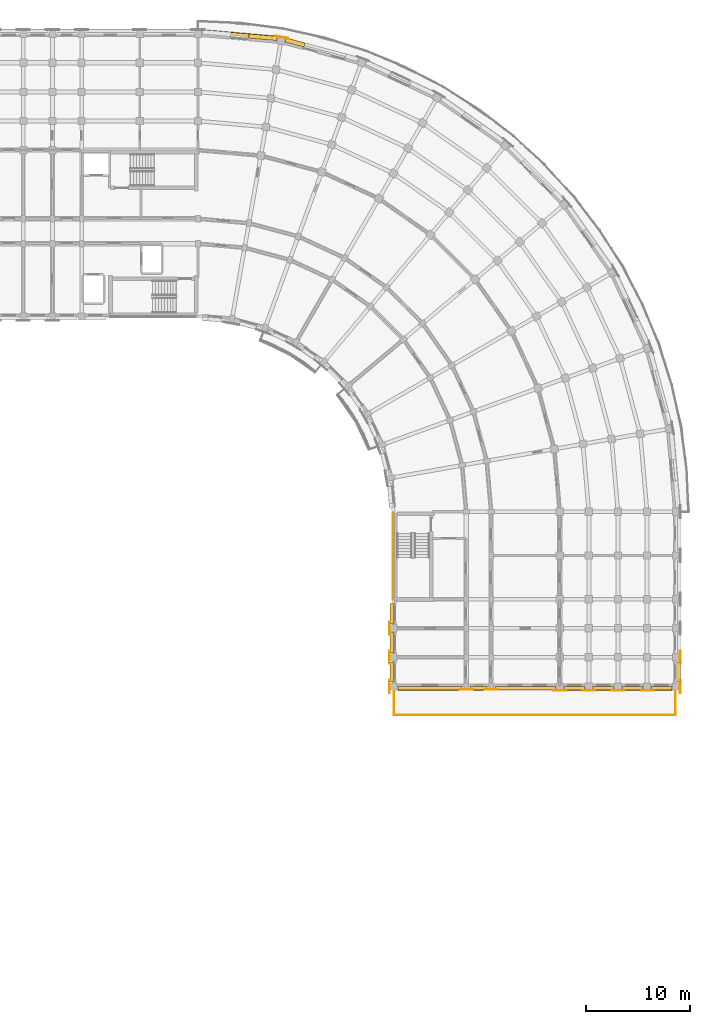
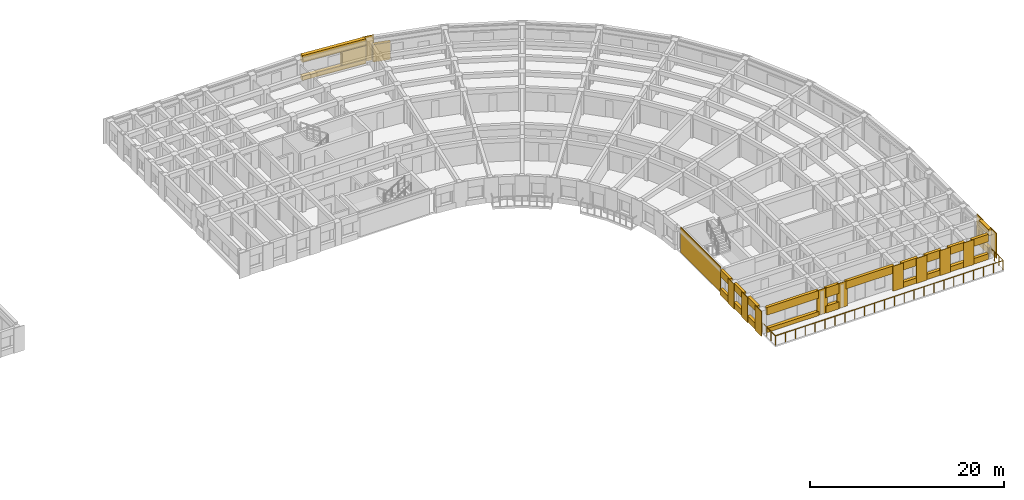
# One storey, part 51 of 54: 38 coverings, 1 railing.
"""IFC4 building model written with IfcOpenShell, lengths in metres."""

from ifc_helpers import new_model, si_unit, direction, frame, origin, origin_2d, place, context, subcontext, project, spatial, polyline, circle, outline, extrude, material, layer, layer_set, type_object, element, save


model = new_model("IFC4")

# Units and contexts
model_context = context("Model", 3, precision=1e-05, world=origin(), true_north=direction((0.0, 1.0)))
body_context = subcontext(model_context, "Body", "Model", "MODEL_VIEW")
ifc_project = project(units=[si_unit("LENGTHUNIT", "METRE"), si_unit("AREAUNIT", "SQUARE_METRE"), si_unit("VOLUMEUNIT", "CUBIC_METRE"), si_unit("PLANEANGLEUNIT", "RADIAN"), si_unit("MASSUNIT", "GRAM", prefix="KILO")], contexts=[model_context])

# Site, building, storey
site_placement = place(None, origin())
site = spatial("IfcSite", under=ifc_project, at=site_placement, CompositionType="ELEMENT")
building_placement = place(site_placement, origin())
building = spatial("IfcBuilding", under=site, at=building_placement, Name="Kiranvali Square Residences", CompositionType="ELEMENT")
storey_placement = place(building_placement, frame((0.0, 0.0, 27.60009765625)))
storey = spatial("IfcBuildingStorey", under=building, at=storey_placement, Name="L08", CompositionType="ELEMENT", Elevation=27.60009765625)

# Coverings
ifc_material_1 = material(Name="Honed Porbandar limestone ashlar facade cladding", Category="masonry")
ifc_layer_1 = layer(ifc_material_1, 0.3798828125)
ifc_layer_set_1 = layer_set([ifc_layer_1], Name="Honed Porbandar limestone ashlar facade cladding")
covering_type_1 = type_object("IfcCoveringType", Name="COV-CLAD-JAMB", PredefinedType="CLADDING", material=ifc_layer_set_1)
covering_1_placement = place(storey_placement, frame((0.0, 0.0, 0.52978515625)))
element("IfcCovering", 1, at=covering_1_placement, inside=storey, type_object=covering_type_1, Name="L08 deep limestone window jamb reveal B-L08-CRV-00.R", PredefinedType="CLADDING", context=body_context, shape_type="SweptSolid", body=[
    extrude(outline(polyline([(124.66552734375, 133.374755859375), (127.389404296875, 133.136474609375), (127.425048828125, 133.54443359375), (124.701416015625, 133.78271484375), (124.66552734375, 133.374755859375)])), origin(), (0.0, 0.0, 1.0), 1.75),
])
covering_2_placement = place(storey_placement, origin())
element("IfcCovering", 2, at=covering_2_placement, inside=storey, type_object=covering_type_1, Name="L08 deep limestone window jamb reveal B-L08-CRV-01.L", PredefinedType="CLADDING", context=body_context, shape_type="SweptSolid", body=[
    extrude(outline(polyline([(128.17431640625, 132.998046875), (129.98681640625, 132.512451171875), (130.0927734375, 132.907958984375), (128.2802734375, 133.3935546875), (128.17431640625, 132.998046875)])), origin(), (0.0, 0.0, 1.0), 2.179931640625),
])
ifc_layer_2 = layer(ifc_material_1, 0.06494140625)
ifc_layer_set_2 = layer_set([ifc_layer_2], Name="Honed Porbandar limestone ashlar facade cladding")
covering_type_2 = type_object("IfcCoveringType", Name="COV-CLAD-PIER", PredefinedType="CLADDING", material=ifc_layer_set_2)
covering_3_placement = place(storey_placement, frame((0.0, 0.0, 0.0048828125)))
element("IfcCovering", 3, at=covering_3_placement, inside=storey, type_object=covering_type_2, Name="L08 Classical limestone corner pilaster CLAD-PR-B-L08-A01", PredefinedType="CLADDING", context=body_context, shape_type="SweptSolid", body=[
    extrude(outline(polyline([(128.480712890625, 133.4033203125), (127.239990234375, 133.622314453125), (127.228271484375, 133.5556640625), (128.468994140625, 133.3369140625), (128.480712890625, 133.4033203125)])), origin(), (0.0, 0.0, 1.0), 3.14013671875),
])
covering_4_placement = place(storey_placement, frame((0.0, 0.0, 0.0048828125)))
element("IfcCovering", 4, at=covering_4_placement, inside=storey, type_object=covering_type_2, Name="Block B L08 Arm 2 stair limestone ashlar cladding", PredefinedType="CLADDING", context=body_context, shape_type="SweptSolid", body=[
    extrude(outline(polyline([(138.52001953125, 87.60009765625), (138.52001953125, 79.35009765625), (138.597900390625, 79.35009765625), (138.597900390625, 87.60009765625), (138.52001953125, 87.60009765625)])), origin(), (0.0, 0.0, 1.0), 3.14013671875),
])
ifc_layer_3 = layer(ifc_material_1, 0.050048828125)
ifc_layer_set_3 = layer_set([ifc_layer_3], Name="Honed Porbandar limestone ashlar facade cladding")
covering_type_3 = type_object("IfcCoveringType", Name="COV-CLAD-PIER-IN", PredefinedType="CLADDING", material=ifc_layer_set_3)
covering_5_placement = place(storey_placement, frame((0.0, 0.0, 0.0048828125)))
element("IfcCovering", 5, at=covering_5_placement, inside=storey, type_object=covering_type_3, Name="L08 Classical limestone pilaster casing CLAD-PRA2I-B-L08-V112", PredefinedType="CLADDING", context=body_context, shape_type="SweptSolid", body=[
    extrude(outline(polyline([(138.181884765625, 77.22998046875), (138.181884765625, 75.969970703125), (138.24951171875, 75.969970703125), (138.24951171875, 77.22998046875), (138.181884765625, 77.22998046875)])), origin(), (0.0, 0.0, 1.0), 3.14013671875),
])
covering_6_placement = place(storey_placement, frame((0.0, 0.0, 0.0048828125)))
element("IfcCovering", 6, at=covering_6_placement, inside=storey, type_object=covering_type_3, Name="L08 Classical limestone pilaster casing CLAD-PRA2I-B-L08-V140", PredefinedType="CLADDING", context=body_context, shape_type="SweptSolid", body=[
    extrude(outline(polyline([(138.181884765625, 74.429931640625), (138.181884765625, 73.169921875), (138.24951171875, 73.169921875), (138.24951171875, 74.429931640625), (138.181884765625, 74.429931640625)])), origin(), (0.0, 0.0, 1.0), 3.14013671875),
])
covering_7_placement = place(storey_placement, frame((0.0, 0.0, 0.0048828125)))
element("IfcCovering", 7, at=covering_7_placement, inside=storey, type_object=covering_type_3, Name="L08 Classical limestone pilaster casing CLAD-PRA2I-B-L08-V167", PredefinedType="CLADDING", context=body_context, shape_type="SweptSolid", body=[
    extrude(outline(polyline([(138.181884765625, 71.6298828125), (138.181884765625, 70.3701171875), (138.24951171875, 70.3701171875), (138.24951171875, 71.6298828125), (138.181884765625, 71.6298828125)])), origin(), (0.0, 0.0, 1.0), 3.14013671875),
])
ifc_layer_4 = layer(ifc_material_1, 0.054931640625)
ifc_layer_set_4 = layer_set([ifc_layer_4], Name="Honed Porbandar limestone ashlar facade cladding")
covering_type_4 = type_object("IfcCoveringType", Name="COV-CLAD-PIER-UP", PredefinedType="CLADDING", material=ifc_layer_set_4)
covering_8_placement = place(storey_placement, frame((0.0, 0.0, 0.0048828125)))
element("IfcCovering", 8, at=covering_8_placement, inside=storey, type_object=covering_type_4, Name="L08 Classical limestone pilaster casing CLAD-PR-B-L08-V140", PredefinedType="CLADDING", context=body_context, shape_type="SweptSolid", body=[
    extrude(outline(polyline([(166.150390625, 74.429931640625), (166.150390625, 73.169921875), (166.218017578125, 73.169921875), (166.218017578125, 74.429931640625), (166.150390625, 74.429931640625)])), origin(), (0.0, 0.0, 1.0), 3.14013671875),
])
covering_9_placement = place(storey_placement, frame((0.0, 0.0, 0.0048828125)))
element("IfcCovering", 9, at=covering_9_placement, inside=storey, type_object=covering_type_4, Name="L08 Classical limestone pilaster casing CLAD-PR-B-L08-V167", PredefinedType="CLADDING", context=body_context, shape_type="SweptSolid", body=[
    extrude(outline(polyline([(166.150390625, 71.6298828125), (166.150390625, 70.3701171875), (166.218017578125, 70.3701171875), (166.218017578125, 71.6298828125), (166.150390625, 71.6298828125)])), origin(), (0.0, 0.0, 1.0), 3.14013671875),
])
covering_10_placement = place(storey_placement, frame((0.0, 0.0, 0.0048828125)))
element("IfcCovering", 10, at=covering_10_placement, inside=storey, type_object=covering_type_4, Name="L08 Classical limestone pilaster casing CLAD-PRA2E-B-L08-R258", PredefinedType="CLADDING", context=body_context, shape_type="SweptSolid", body=[
    extrude(outline(polyline([(144.969970703125, 70.681884765625), (146.22998046875, 70.681884765625), (146.22998046875, 70.74951171875), (144.969970703125, 70.74951171875), (144.969970703125, 70.681884765625)])), origin(), (0.0, 0.0, 1.0), 3.14013671875),
])
covering_11_placement = place(storey_placement, frame((0.0, 0.0, 0.0048828125)))
element("IfcCovering", 11, at=covering_11_placement, inside=storey, type_object=covering_type_4, Name="L08 Classical limestone pilaster casing CLAD-PRA2E-B-L08-R282", PredefinedType="CLADDING", context=body_context, shape_type="SweptSolid", body=[
    extrude(outline(polyline([(147.3701171875, 70.681884765625), (148.6298828125, 70.681884765625), (148.6298828125, 70.74951171875), (147.3701171875, 70.74951171875), (147.3701171875, 70.681884765625)])), origin(), (0.0, 0.0, 1.0), 3.14013671875),
])
covering_12_placement = place(storey_placement, frame((0.0, 0.0, 0.0048828125)))
element("IfcCovering", 12, at=covering_12_placement, inside=storey, type_object=covering_type_4, Name="L08 Classical limestone pilaster casing CLAD-PRA2E-B-L08-R348", PredefinedType="CLADDING", context=body_context, shape_type="SweptSolid", body=[
    extrude(outline(polyline([(153.969970703125, 70.58203125), (155.22998046875, 70.58203125), (155.22998046875, 70.6494140625), (153.969970703125, 70.6494140625), (153.969970703125, 70.58203125)])), origin(), (0.0, 0.0, 1.0), 3.14013671875),
])
covering_13_placement = place(storey_placement, frame((0.0, 0.0, 0.0048828125)))
element("IfcCovering", 13, at=covering_13_placement, inside=storey, type_object=covering_type_4, Name="L08 Classical limestone pilaster casing CLAD-PRA2E-B-L08-R376", PredefinedType="CLADDING", context=body_context, shape_type="SweptSolid", body=[
    extrude(outline(polyline([(156.77001953125, 70.58203125), (158.030029296875, 70.58203125), (158.030029296875, 70.6494140625), (156.77001953125, 70.6494140625), (156.77001953125, 70.58203125)])), origin(), (0.0, 0.0, 1.0), 3.14013671875),
])
covering_14_placement = place(storey_placement, frame((0.0, 0.0, 0.0048828125)))
element("IfcCovering", 14, at=covering_14_placement, inside=storey, type_object=covering_type_4, Name="L08 Classical limestone pilaster casing CLAD-PRA2E-B-L08-R404", PredefinedType="CLADDING", context=body_context, shape_type="SweptSolid", body=[
    extrude(outline(polyline([(159.570068359375, 70.58203125), (160.830078125, 70.58203125), (160.830078125, 70.6494140625), (159.570068359375, 70.6494140625), (159.570068359375, 70.58203125)])), origin(), (0.0, 0.0, 1.0), 3.14013671875),
])
covering_15_placement = place(storey_placement, frame((0.0, 0.0, 0.0048828125)))
element("IfcCovering", 15, at=covering_15_placement, inside=storey, type_object=covering_type_4, Name="L08 Classical limestone pilaster casing CLAD-PRA2E-B-L08-R432", PredefinedType="CLADDING", context=body_context, shape_type="SweptSolid", body=[
    extrude(outline(polyline([(162.3701171875, 70.58203125), (163.6298828125, 70.58203125), (163.6298828125, 70.6494140625), (162.3701171875, 70.6494140625), (162.3701171875, 70.58203125)])), origin(), (0.0, 0.0, 1.0), 3.14013671875),
])
ifc_layer_5 = layer(ifc_material_1, 0.360107421875)
ifc_layer_set_5 = layer_set([ifc_layer_5], Name="Honed Porbandar limestone ashlar facade cladding")
covering_type_5 = type_object("IfcCoveringType", Name="COV-CLAD-WALL", PredefinedType="CLADDING", material=ifc_layer_set_5)
covering_16_placement = place(storey_placement, frame((0.0, 0.0, 2.27978515625)))
element("IfcCovering", 16, at=covering_16_placement, inside=storey, type_object=covering_type_5, Name="L08 light limestone spandrel lintel B-L08-CRV-00", PredefinedType="CLADDING", context=body_context, shape_type="SweptSolid", body=[
    extrude(outline(polyline([(120.198486328125, 133.765625), (127.389404296875, 133.136474609375), (127.425048828125, 133.54443359375), (120.234130859375, 134.173583984375), (120.198486328125, 133.765625)])), origin(), (0.0, 0.0, 1.0), 0.865234375),
])
covering_17_placement = place(storey_placement, frame((0.0, 0.0, 0.0048828125)))
element("IfcCovering", 17, at=covering_17_placement, inside=storey, type_object=covering_type_5, Name="L08 limestone window sill apron B-L08-CRV-00", PredefinedType="CLADDING", context=body_context, shape_type="SweptSolid", body=[
    extrude(outline(polyline([(120.198486328125, 133.765625), (127.389404296875, 133.136474609375), (127.427734375, 133.57421875), (120.23681640625, 134.203369140625), (120.198486328125, 133.765625)])), origin(), (0.0, 0.0, 1.0), 0.52490234375),
])
covering_18_placement = place(storey_placement, frame((0.0, 0.0, 2.27978515625)))
element("IfcCovering", 18, at=covering_18_placement, inside=storey, type_object=covering_type_5, Name="L08 light limestone spandrel lintel B-L08-A2O-4", PredefinedType="CLADDING", context=body_context, shape_type="SweptSolid", body=[
    extrude(outline(polyline([(165.800537109375, 73.3798828125), (165.800537109375, 71.419921875), (166.199951171875, 71.419921875), (166.199951171875, 73.3798828125), (165.800537109375, 73.3798828125)])), origin(), (0.0, 0.0, 1.0), 0.865234375),
])
covering_19_placement = place(storey_placement, frame((0.0, 0.0, 0.0048828125)))
element("IfcCovering", 19, at=covering_19_placement, inside=storey, type_object=covering_type_5, Name="L08 limestone window sill apron B-L08-A2O-4", PredefinedType="CLADDING", context=body_context, shape_type="SweptSolid", body=[
    extrude(outline(polyline([(165.800537109375, 73.3798828125), (165.800537109375, 71.419921875), (166.22998046875, 71.419921875), (166.22998046875, 73.3798828125), (165.800537109375, 73.3798828125)])), origin(), (0.0, 0.0, 1.0), 0.77490234375),
])
covering_20_placement = place(storey_placement, frame((0.0, 0.0, 2.27197265625)))
element("IfcCovering", 20, at=covering_20_placement, inside=storey, type_object=covering_type_5, Name="L08 light limestone spandrel lintel B-L08-A2I-0", PredefinedType="CLADDING", context=body_context, shape_type="SweptSolid", body=[
    extrude(outline(polyline([(138.280029296875, 78.97998046875), (138.280029296875, 77.02001953125), (138.599609375, 77.02001953125), (138.599609375, 78.97998046875), (138.280029296875, 78.97998046875)])), origin(), (0.0, 0.0, 1.0), 0.873046875),
])
covering_21_placement = place(storey_placement, frame((0.0, 0.0, 0.0048828125)))
element("IfcCovering", 21, at=covering_21_placement, inside=storey, type_object=covering_type_5, Name="L08 limestone window sill apron B-L08-A2I-0", PredefinedType="CLADDING", context=body_context, shape_type="SweptSolid", body=[
    extrude(outline(polyline([(138.25, 78.97998046875), (138.25, 77.02001953125), (138.599609375, 77.02001953125), (138.599609375, 78.97998046875), (138.25, 78.97998046875)])), origin(), (0.0, 0.0, 1.0), 0.76708984375),
])
covering_22_placement = place(storey_placement, frame((0.0, 0.0, 2.27197265625)))
element("IfcCovering", 22, at=covering_22_placement, inside=storey, type_object=covering_type_5, Name="L08 light limestone spandrel lintel B-L08-A2I-1", PredefinedType="CLADDING", context=body_context, shape_type="SweptSolid", body=[
    extrude(outline(polyline([(138.280029296875, 76.179931640625), (138.280029296875, 74.219970703125), (138.599609375, 74.219970703125), (138.599609375, 76.179931640625), (138.280029296875, 76.179931640625)])), origin(), (0.0, 0.0, 1.0), 0.873046875),
])
covering_23_placement = place(storey_placement, frame((0.0, 0.0, 0.0048828125)))
element("IfcCovering", 23, at=covering_23_placement, inside=storey, type_object=covering_type_5, Name="L08 limestone window sill apron B-L08-A2I-1", PredefinedType="CLADDING", context=body_context, shape_type="SweptSolid", body=[
    extrude(outline(polyline([(138.25, 76.179931640625), (138.25, 74.219970703125), (138.599609375, 74.219970703125), (138.599609375, 76.179931640625), (138.25, 76.179931640625)])), origin(), (0.0, 0.0, 1.0), 0.76708984375),
])
covering_24_placement = place(storey_placement, frame((0.0, 0.0, 2.27197265625)))
element("IfcCovering", 24, at=covering_24_placement, inside=storey, type_object=covering_type_5, Name="L08 light limestone spandrel lintel B-L08-A2I-2", PredefinedType="CLADDING", context=body_context, shape_type="SweptSolid", body=[
    extrude(outline(polyline([(138.280029296875, 73.3798828125), (138.280029296875, 71.419921875), (138.599609375, 71.419921875), (138.599609375, 73.3798828125), (138.280029296875, 73.3798828125)])), origin(), (0.0, 0.0, 1.0), 0.873046875),
])
covering_25_placement = place(storey_placement, frame((0.0, 0.0, 0.0048828125)))
element("IfcCovering", 25, at=covering_25_placement, inside=storey, type_object=covering_type_5, Name="L08 limestone window sill apron B-L08-A2I-2", PredefinedType="CLADDING", context=body_context, shape_type="SweptSolid", body=[
    extrude(outline(polyline([(138.25, 73.3798828125), (138.25, 71.419921875), (138.599609375, 71.419921875), (138.599609375, 73.3798828125), (138.25, 73.3798828125)])), origin(), (0.0, 0.0, 1.0), 0.76708984375),
])
covering_26_placement = place(storey_placement, frame((0.0, 0.0, 2.171875)))
element("IfcCovering", 26, at=covering_26_placement, inside=storey, type_object=covering_type_5, Name="L08 light limestone spandrel lintel B-L08-A2END-0", PredefinedType="CLADDING", context=body_context, shape_type="SweptSolid", body=[
    extrude(outline(polyline([(139.02001953125, 70.659912109375), (145.179931640625, 70.659912109375), (145.179931640625, 70.99951171875), (139.02001953125, 70.99951171875), (139.02001953125, 70.659912109375)])), origin(), (0.0, 0.0, 1.0), 0.97314453125),
])
covering_27_placement = place(storey_placement, frame((0.0, 0.0, 0.0048828125)))
element("IfcCovering", 27, at=covering_27_placement, inside=storey, type_object=covering_type_5, Name="L08 limestone window sill apron B-L08-A2END-0", PredefinedType="CLADDING", context=body_context, shape_type="SweptSolid", body=[
    extrude(outline(polyline([(139.02001953125, 70.6298828125), (145.179931640625, 70.6298828125), (145.179931640625, 70.99951171875), (139.02001953125, 70.99951171875), (139.02001953125, 70.6298828125)])), origin(), (0.0, 0.0, 1.0), 0.51708984375),
])
covering_28_placement = place(storey_placement, frame((0.0, 0.0, 1.929931640625)))
element("IfcCovering", 28, at=covering_28_placement, inside=storey, type_object=covering_type_5, Name="L08 light limestone spandrel lintel B-L08-A2END-1", PredefinedType="CLADDING", context=body_context, shape_type="SweptSolid", body=[
    extrude(outline(polyline([(146.02001953125, 70.659912109375), (147.580078125, 70.659912109375), (147.580078125, 70.99951171875), (146.02001953125, 70.99951171875), (146.02001953125, 70.659912109375)])), origin(), (0.0, 0.0, 1.0), 1.215087890625),
])
covering_29_placement = place(storey_placement, frame((0.0, 0.0, 0.0048828125)))
element("IfcCovering", 29, at=covering_29_placement, inside=storey, type_object=covering_type_5, Name="L08 limestone window sill apron B-L08-A2END-1", PredefinedType="CLADDING", context=body_context, shape_type="SweptSolid", body=[
    extrude(outline(polyline([(146.02001953125, 70.6298828125), (147.580078125, 70.6298828125), (147.580078125, 70.99951171875), (146.02001953125, 70.99951171875), (146.02001953125, 70.6298828125)])), origin(), (0.0, 0.0, 1.0), 0.875),
])
covering_30_placement = place(storey_placement, frame((0.0, 0.0, 2.179931640625)))
element("IfcCovering", 30, at=covering_30_placement, inside=storey, type_object=covering_type_5, Name="L08 light limestone spandrel lintel B-L08-A2END-2", PredefinedType="CLADDING", context=body_context, shape_type="SweptSolid", body=[
    extrude(outline(polyline([(148.419921875, 70.659912109375), (154.179931640625, 70.659912109375), (154.179931640625, 70.99951171875), (148.419921875, 70.99951171875), (148.419921875, 70.659912109375)])), origin(), (0.0, 0.0, 1.0), 0.965087890625),
])
covering_31_placement = place(storey_placement, frame((0.0, 0.0, 2.171875)))
element("IfcCovering", 31, at=covering_31_placement, inside=storey, type_object=covering_type_5, Name="L08 light limestone spandrel lintel B-L08-A2END-3", PredefinedType="CLADDING", context=body_context, shape_type="SweptSolid", body=[
    extrude(outline(polyline([(155.02001953125, 70.659912109375), (156.97998046875, 70.659912109375), (156.97998046875, 70.99951171875), (155.02001953125, 70.99951171875), (155.02001953125, 70.659912109375)])), origin(), (0.0, 0.0, 1.0), 0.97314453125),
])
covering_32_placement = place(storey_placement, frame((0.0, 0.0, 0.0048828125)))
element("IfcCovering", 32, at=covering_32_placement, inside=storey, type_object=covering_type_5, Name="L08 limestone window sill apron B-L08-A2END-3", PredefinedType="CLADDING", context=body_context, shape_type="SweptSolid", body=[
    extrude(outline(polyline([(155.02001953125, 70.6298828125), (156.97998046875, 70.6298828125), (156.97998046875, 70.99951171875), (155.02001953125, 70.99951171875), (155.02001953125, 70.6298828125)])), origin(), (0.0, 0.0, 1.0), 0.6669921875),
])
covering_33_placement = place(storey_placement, frame((0.0, 0.0, 2.171875)))
element("IfcCovering", 33, at=covering_33_placement, inside=storey, type_object=covering_type_5, Name="L08 light limestone spandrel lintel B-L08-A2END-4", PredefinedType="CLADDING", context=body_context, shape_type="SweptSolid", body=[
    extrude(outline(polyline([(157.820068359375, 70.659912109375), (159.780029296875, 70.659912109375), (159.780029296875, 70.99951171875), (157.820068359375, 70.99951171875), (157.820068359375, 70.659912109375)])), origin(), (0.0, 0.0, 1.0), 0.97314453125),
])
covering_34_placement = place(storey_placement, frame((0.0, 0.0, 0.0048828125)))
element("IfcCovering", 34, at=covering_34_placement, inside=storey, type_object=covering_type_5, Name="L08 limestone window sill apron B-L08-A2END-4", PredefinedType="CLADDING", context=body_context, shape_type="SweptSolid", body=[
    extrude(outline(polyline([(157.820068359375, 70.6298828125), (159.780029296875, 70.6298828125), (159.780029296875, 70.99951171875), (157.820068359375, 70.99951171875), (157.820068359375, 70.6298828125)])), origin(), (0.0, 0.0, 1.0), 0.6669921875),
])
covering_35_placement = place(storey_placement, frame((0.0, 0.0, 2.171875)))
element("IfcCovering", 35, at=covering_35_placement, inside=storey, type_object=covering_type_5, Name="L08 light limestone spandrel lintel B-L08-A2END-5", PredefinedType="CLADDING", context=body_context, shape_type="SweptSolid", body=[
    extrude(outline(polyline([(160.6201171875, 70.659912109375), (162.580078125, 70.659912109375), (162.580078125, 70.99951171875), (160.6201171875, 70.99951171875), (160.6201171875, 70.659912109375)])), origin(), (0.0, 0.0, 1.0), 0.97314453125),
])
covering_36_placement = place(storey_placement, frame((0.0, 0.0, 0.0048828125)))
element("IfcCovering", 36, at=covering_36_placement, inside=storey, type_object=covering_type_5, Name="L08 limestone window sill apron B-L08-A2END-5", PredefinedType="CLADDING", context=body_context, shape_type="SweptSolid", body=[
    extrude(outline(polyline([(160.6201171875, 70.6298828125), (162.580078125, 70.6298828125), (162.580078125, 70.99951171875), (160.6201171875, 70.99951171875), (160.6201171875, 70.6298828125)])), origin(), (0.0, 0.0, 1.0), 0.6669921875),
])
covering_37_placement = place(storey_placement, frame((0.0, 0.0, 2.2119140625)))
element("IfcCovering", 37, at=covering_37_placement, inside=storey, type_object=covering_type_5, Name="L08 light limestone spandrel lintel B-L08-A2END-6", PredefinedType="CLADDING", context=body_context, shape_type="SweptSolid", body=[
    extrude(outline(polyline([(163.419921875, 70.659912109375), (165.3798828125, 70.659912109375), (165.3798828125, 70.99951171875), (163.419921875, 70.99951171875), (163.419921875, 70.659912109375)])), origin(), (0.0, 0.0, 1.0), 0.93310546875),
])
covering_38_placement = place(storey_placement, frame((0.0, 0.0, 0.0048828125)))
element("IfcCovering", 38, at=covering_38_placement, inside=storey, type_object=covering_type_5, Name="L08 limestone window sill apron B-L08-A2END-6", PredefinedType="CLADDING", context=body_context, shape_type="SweptSolid", body=[
    extrude(outline(polyline([(163.419921875, 70.6298828125), (165.3798828125, 70.6298828125), (165.3798828125, 70.99951171875), (163.419921875, 70.99951171875), (163.419921875, 70.6298828125)])), origin(), (0.0, 0.0, 1.0), 0.70703125),
])

# Railing
ifc_material_2 = material(Name="Powder-coated architectural bronze balustrade", Category="steel")
railing_type = type_object("IfcRailingType", Name="RL-TER-GOLD-1200", PredefinedType="BALUSTRADE", material=ifc_material_2)
railing_placement = place(storey_placement, frame((138.659912109375, 70.9599609375, 0.0)))
element("IfcRailing", 39, at=railing_placement, inside=storey, type_object=railing_type, Name="Block B L08 high-rise refuge terrace balustrade", PredefinedType="BALUSTRADE", context=body_context, shape_type="SweptSolid", body=[
    extrude(circle(Radius=0.02392578125, at=origin_2d()), frame((0.0, 0.0, 1.17578125), z_axis=(0.0, -1.0, 0.0), x_axis=(1.0, 0.0, 0.0)), (0.0, 0.0, 1.0), 2.699951171875),
    extrude(circle(Radius=0.02392578125, at=origin_2d()), frame((0.0, -2.699951171875, 1.17578125), z_axis=(1.0, 0.0, 0.0), x_axis=(0.0, 1.0, 0.0)), (0.0, 0.0, 1.0), 27.080078125),
    extrude(circle(Radius=0.02392578125, at=origin_2d()), frame((27.080078125, -2.699951171875, 1.17578125), z_axis=(0.0, 1.0, 0.0), x_axis=(-1.0, 0.0, 0.0)), (0.0, 0.0, 1.0), 2.699951171875),
    extrude(circle(Radius=0.02099609375, at=origin_2d()), origin(), (0.0, 0.0, 1.0), 1.15185546875),
    extrude(circle(Radius=0.02099609375, at=origin_2d()), frame((0.0, -0.89990234375, 0.0)), (0.0, 0.0, 1.0), 1.15185546875),
    extrude(circle(Radius=0.02099609375, at=origin_2d()), frame((0.0, -1.800048828125, 0.0)), (0.0, 0.0, 1.0), 1.15185546875),
    extrude(circle(Radius=0.02099609375, at=origin_2d()), frame((0.0, -2.699951171875, 0.0)), (0.0, 0.0, 1.0), 1.15185546875),
    extrude(circle(Radius=0.02099609375, at=origin_2d()), frame((1.177490234375, -2.699951171875, 0.0)), (0.0, 0.0, 1.0), 1.15185546875),
    extrude(circle(Radius=0.02099609375, at=origin_2d()), frame((2.354736328125, -2.699951171875, 0.0)), (0.0, 0.0, 1.0), 1.15185546875),
    extrude(circle(Radius=0.02099609375, at=origin_2d()), frame((3.5322265625, -2.699951171875, 0.0)), (0.0, 0.0, 1.0), 1.15185546875),
    extrude(circle(Radius=0.02099609375, at=origin_2d()), frame((4.70947265625, -2.699951171875, 0.0)), (0.0, 0.0, 1.0), 1.15185546875),
    extrude(circle(Radius=0.02099609375, at=origin_2d()), frame((5.886962890625, -2.699951171875, 0.0)), (0.0, 0.0, 1.0), 1.15185546875),
    extrude(circle(Radius=0.02099609375, at=origin_2d()), frame((7.064453125, -2.699951171875, 0.0)), (0.0, 0.0, 1.0), 1.15185546875),
    extrude(circle(Radius=0.02099609375, at=origin_2d()), frame((8.24169921875, -2.699951171875, 0.0)), (0.0, 0.0, 1.0), 1.15185546875),
    extrude(circle(Radius=0.02099609375, at=origin_2d()), frame((9.419189453125, -2.699951171875, 0.0)), (0.0, 0.0, 1.0), 1.15185546875),
    extrude(circle(Radius=0.02099609375, at=origin_2d()), frame((10.596435546875, -2.699951171875, 0.0)), (0.0, 0.0, 1.0), 1.15185546875),
    extrude(circle(Radius=0.02099609375, at=origin_2d()), frame((11.77392578125, -2.699951171875, 0.0)), (0.0, 0.0, 1.0), 1.15185546875),
    extrude(circle(Radius=0.02099609375, at=origin_2d()), frame((12.951416015625, -2.699951171875, 0.0)), (0.0, 0.0, 1.0), 1.15185546875),
    extrude(circle(Radius=0.02099609375, at=origin_2d()), frame((14.128662109375, -2.699951171875, 0.0)), (0.0, 0.0, 1.0), 1.15185546875),
    extrude(circle(Radius=0.02099609375, at=origin_2d()), frame((15.30615234375, -2.699951171875, 0.0)), (0.0, 0.0, 1.0), 1.15185546875),
    extrude(circle(Radius=0.02099609375, at=origin_2d()), frame((16.483642578125, -2.699951171875, 0.0)), (0.0, 0.0, 1.0), 1.15185546875),
    extrude(circle(Radius=0.02099609375, at=origin_2d()), frame((17.660888671875, -2.699951171875, 0.0)), (0.0, 0.0, 1.0), 1.15185546875),
    extrude(circle(Radius=0.02099609375, at=origin_2d()), frame((18.83837890625, -2.699951171875, 0.0)), (0.0, 0.0, 1.0), 1.15185546875),
    extrude(circle(Radius=0.02099609375, at=origin_2d()), frame((20.015625, -2.699951171875, 0.0)), (0.0, 0.0, 1.0), 1.15185546875),
    extrude(circle(Radius=0.02099609375, at=origin_2d()), frame((21.193115234375, -2.699951171875, 0.0)), (0.0, 0.0, 1.0), 1.15185546875),
    extrude(circle(Radius=0.02099609375, at=origin_2d()), frame((22.37060546875, -2.699951171875, 0.0)), (0.0, 0.0, 1.0), 1.15185546875),
    extrude(circle(Radius=0.02099609375, at=origin_2d()), frame((23.5478515625, -2.699951171875, 0.0)), (0.0, 0.0, 1.0), 1.15185546875),
    extrude(circle(Radius=0.02099609375, at=origin_2d()), frame((24.725341796875, -2.699951171875, 0.0)), (0.0, 0.0, 1.0), 1.15185546875),
    extrude(circle(Radius=0.02099609375, at=origin_2d()), frame((25.902587890625, -2.699951171875, 0.0)), (0.0, 0.0, 1.0), 1.15185546875),
    extrude(circle(Radius=0.02099609375, at=origin_2d()), frame((27.080078125, -2.699951171875, 0.0)), (0.0, 0.0, 1.0), 1.15185546875),
    extrude(circle(Radius=0.02099609375, at=origin_2d()), frame((27.080078125, -1.800048828125, 0.0)), (0.0, 0.0, 1.0), 1.15185546875),
    extrude(circle(Radius=0.02099609375, at=origin_2d()), frame((27.080078125, -0.89990234375, 0.0)), (0.0, 0.0, 1.0), 1.15185546875),
    extrude(circle(Radius=0.02099609375, at=origin_2d()), frame((27.080078125, 0.0, 0.0)), (0.0, 0.0, 1.0), 1.15185546875),
])

save(model, "model.ifc")
